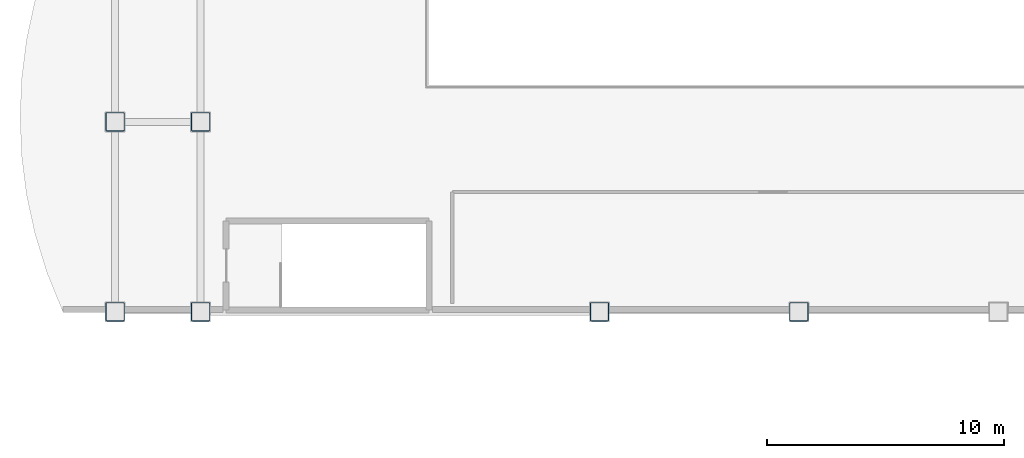
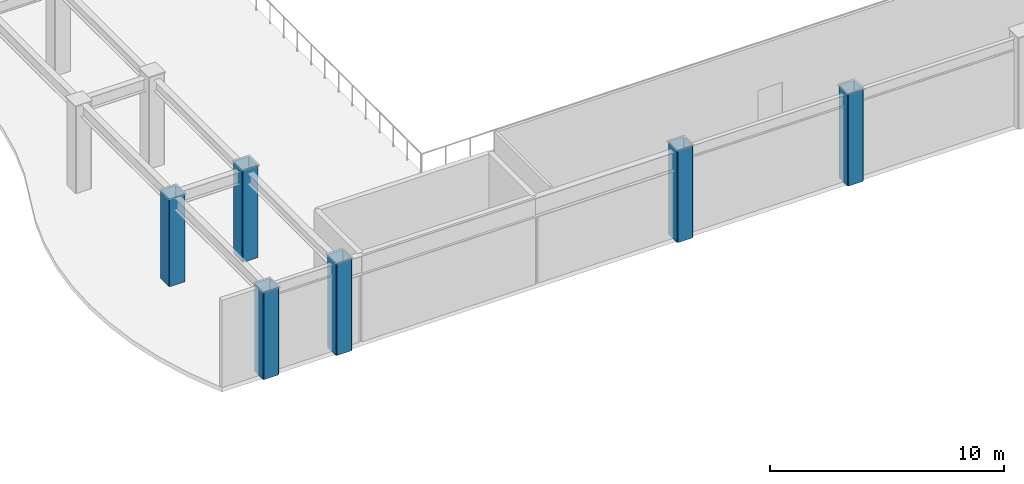
# One storey, part 2 of 93: 6 columns.
"""IFC4 building model written with IfcOpenShell, lengths in metres."""

import ifcopenshell
import ifcopenshell.guid

model = None  # the IFC model being written
_history = None  # IfcOwnerHistory: only IFC2X3 demands one
_inside = {}  # id of a spatial element -> (the spatial element, [elements in it])
_under = {}  # id of a project, library or spatial element -> (it, [spatial elements below it])
_declared = {}  # id of a project -> (the project, [libraries it declares])
_typed = {}  # id of a type object -> (the type object, [elements of that type])
_made_of = {}  # id of a material, layer set ... -> (it, [elements and type objects made of it])


def new_model(schema):
    """Start an empty IFC model of exactly this schema.

    Asked for "IFC4X3", IfcOpenShell would pick the latest addendum, in which some entities
    have other attributes; the version numbers below select the first issue.
    IFC2X3 requires an IfcOwnerHistory on every rooted entity: one is made here for all.
    """
    global model, _history
    if schema == "IFC4X3":
        model = ifcopenshell.file(schema_version=(4, 3, 0, 0))
    else:
        model = ifcopenshell.file(schema=schema)
    _inside.clear()
    _under.clear()
    _declared.clear()
    _typed.clear()
    _made_of.clear()
    _history = None
    if model.schema == "IFC2X3":
        org = make("IfcOrganization", Name="unknown")
        user = make(
            "IfcPersonAndOrganization",
            ThePerson=make("IfcPerson", FamilyName="unknown"),
            TheOrganization=org,
        )
        app = make(
            "IfcApplication",
            ApplicationDeveloper=org,
            Version="unknown",
            ApplicationFullName="unknown",
            ApplicationIdentifier="unknown",
        )
        _history = make(
            "IfcOwnerHistory",
            OwningUser=user,
            OwningApplication=app,
            ChangeAction="ADDED",
            CreationDate=0,
        )
    return model


def make(cls, **values):
    """One entity of the class cls with the attributes given. An attribute that is None is left unset."""
    return model.create_entity(
        cls, **{name: value for name, value in values.items() if value is not None}
    )


def rooted(cls, **values):
    """An entity with a GlobalId (a new one), such as an element, a storey or a relation."""
    return make(cls, GlobalId=ifcopenshell.guid.new(), OwnerHistory=_history, **values)


def si_unit(unit_type, name, prefix=None):
    """IfcSIUnit, for example si_unit("LENGTHUNIT", "METRE", prefix="MILLI")."""
    return make("IfcSIUnit", UnitType=unit_type, Prefix=prefix, Name=name)


def assignment(units):
    """IfcUnitAssignment: the units of a project."""
    return None if units is None else make("IfcUnitAssignment", Units=units)


def point(xyz):
    """IfcCartesianPoint."""
    return None if xyz is None else make("IfcCartesianPoint", Coordinates=xyz)


def direction(xyz):
    """IfcDirection."""
    return None if xyz is None else make("IfcDirection", DirectionRatios=xyz)


def frame(location, z_axis=None, x_axis=None):
    """IfcAxis2Placement3D, a coordinate frame: its origin and axes. An axis left out is left unset."""
    return make(
        "IfcAxis2Placement3D",
        Location=point(location),
        Axis=direction(z_axis),
        RefDirection=direction(x_axis),
    )


def frame_2d(location, x_axis=None):
    """IfcAxis2Placement2D, a coordinate frame in the plane: its origin and x axis."""
    return make(
        "IfcAxis2Placement2D", Location=point(location), RefDirection=direction(x_axis)
    )


def origin():
    """The frame at (0, 0, 0) with its axes left unset."""
    return frame((0.0, 0.0, 0.0))


def origin_2d():
    """The frame at (0, 0) in the plane with its x axis left unset."""
    return frame_2d((0.0, 0.0))


def place(relative_to, where):
    """IfcLocalPlacement: puts the frame where relative to a parent placement (None: the world)."""
    return make(
        "IfcLocalPlacement", PlacementRelTo=relative_to, RelativePlacement=where
    )


def context(
    kind, dimensions, precision=None, world=None, true_north=None, identifier=None
):
    """IfcGeometricRepresentationContext, for example the 3D "Model" context."""
    return make(
        "IfcGeometricRepresentationContext",
        ContextIdentifier=identifier,
        ContextType=kind,
        CoordinateSpaceDimension=dimensions,
        Precision=precision,
        WorldCoordinateSystem=world,
        TrueNorth=true_north,
    )


def subcontext(parent, identifier, kind, view, scale=None):
    """IfcGeometricRepresentationSubContext, for example "Body" below "Model"."""
    return make(
        "IfcGeometricRepresentationSubContext",
        ContextIdentifier=identifier,
        ContextType=kind,
        ParentContext=parent,
        TargetScale=scale,
        TargetView=view,
    )


def project(units=None, contexts=None):
    """IfcProject with its units and contexts."""
    return rooted(
        "IfcProject",
        Name="project",
        RepresentationContexts=contexts,
        UnitsInContext=assignment(units),
    )


def spatial(cls, under=None, at=None, **own):
    """A site, building, storey or space (cls), placed at a placement, below another one or the project."""
    s = rooted(cls, ObjectPlacement=at, **own)
    if under is not None:
        _under.setdefault(under.id(), (under, []))[1].append(s)
    return s


def profile(cls, at=None, kind="AREA", **sizes):
    """A parametric profile (cls). Its sizes go by their IFC names, for example OverallWidth=200.0."""
    return make(cls, ProfileType=kind, Position=at, **sizes)


def hollow_rectangle(**sizes):
    """IfcRectangleHollowProfileDef."""
    return profile("IfcRectangleHollowProfileDef", **sizes)


def extrude(swept, where, along, depth):
    """IfcExtrudedAreaSolid: the profile swept, set in the frame where, extruded along a direction by depth."""
    return make(
        "IfcExtrudedAreaSolid",
        SweptArea=swept,
        Position=where,
        ExtrudedDirection=direction(along),
        Depth=depth,
    )


def shape(context_of_items, identifier, shape_type, items):
    """IfcShapeRepresentation: the items that make up one representation, for example the "Body"."""
    return make(
        "IfcShapeRepresentation",
        ContextOfItems=context_of_items,
        RepresentationIdentifier=identifier,
        RepresentationType=shape_type,
        Items=items,
    )


def material(Name=None, Category=None):
    """IfcMaterial."""
    return make("IfcMaterial", Name=Name, Category=Category)


def material_profile(
    of_material, cross_section, Name=None, Category=None, Priority=None
):
    """IfcMaterialProfile: a cross section and its material."""
    return make(
        "IfcMaterialProfile",
        Name=Name,
        Material=of_material,
        Profile=cross_section,
        Priority=Priority,
        Category=Category,
    )


def profile_set(profiles, Name=None, composite=None):
    """IfcMaterialProfileSet."""
    return make(
        "IfcMaterialProfileSet",
        Name=Name,
        MaterialProfiles=profiles,
        CompositeProfile=composite,
    )


def made_of(thing, what):
    """Note that an element or type object is made of a material, layer set ...; save() writes the relation."""
    if what is not None:
        _made_of.setdefault(what.id(), (what, []))[1].append(thing)
    return thing


def type_object(cls, material=None, **own):
    """A type object (cls), such as IfcWallType, which elements share."""
    return made_of(rooted(cls, **own), material)


def element(
    cls,
    number,
    at=None,
    inside=None,
    cuts=None,
    type_object=None,
    material=None,
    context=None,
    identifier="Body",
    shape_type=None,
    held_by="IfcProductDefinitionShape",
    body=None,
    shapes=None,
    **own,
):
    """One element of the class cls, such as IfcWall. Its Tag is "e" and its number.

    at: its placement. inside: the storey or other place that contains it. cuts: it is an
    opening in that element (IfcRelVoidsElement). A single representation is given by context,
    identifier, shape_type and body (its items); several are given by shapes. held_by: the class
    of the entity that holds the representations. save() writes the other relations.
    """
    e = rooted(cls, Tag="e%d" % number, ObjectPlacement=at, **own)
    if body is not None:
        shapes = [shape(context, identifier, shape_type, body)]
    if shapes is not None:
        e.Representation = make(held_by, Representations=shapes)
    if inside is not None:
        _inside.setdefault(inside.id(), (inside, []))[1].append(e)
    if cuts is not None:
        rooted(
            "IfcRelVoidsElement", RelatingBuildingElement=cuts, RelatedOpeningElement=e
        )
    if type_object is not None:
        _typed.setdefault(type_object.id(), (type_object, []))[1].append(e)
    return made_of(e, material)


def aggregate(whole, parts):
    """IfcRelAggregates: a whole, such as a stair, and the parts it consists of."""
    return rooted("IfcRelAggregates", RelatingObject=whole, RelatedObjects=parts)


def save(model, path):
    """Write the relations noted so far, then the file.

    IfcRelAggregates (storeys below a building ...), IfcRelContainedInSpatialStructure (elements
    in a storey), IfcRelDefinesByType, IfcRelAssociatesMaterial and IfcRelDeclares: one each for
    every whole, place, type object, material and project.
    """
    for whole, parts in _under.values():
        aggregate(whole, parts)
    for where, things in _inside.values():
        rooted(
            "IfcRelContainedInSpatialStructure",
            RelatedElements=things,
            RelatingStructure=where,
        )
    for kind, things in _typed.values():
        rooted("IfcRelDefinesByType", RelatedObjects=things, RelatingType=kind)
    for what, things in _made_of.values():
        rooted("IfcRelAssociatesMaterial", RelatedObjects=things, RelatingMaterial=what)
    for by, libraries in _declared.values():
        rooted("IfcRelDeclares", RelatingContext=by, RelatedDefinitions=libraries)
    model.write(path)


model = new_model("IFC4")

# Units and contexts
model_context = context("Model", 3, precision=1e-05, world=origin(), true_north=direction((0.0, 1.0)))
body_context = subcontext(model_context, "Body", "Model", "MODEL_VIEW")
ifc_project = project(units=[si_unit("LENGTHUNIT", "METRE"), si_unit("AREAUNIT", "SQUARE_METRE"), si_unit("VOLUMEUNIT", "CUBIC_METRE"), si_unit("PLANEANGLEUNIT", "RADIAN"), si_unit("MASSUNIT", "GRAM", prefix="KILO")], contexts=[model_context])

# Site, building, storey
site_placement = place(None, origin())
site = spatial("IfcSite", under=ifc_project, at=site_placement, CompositionType="ELEMENT")
building_placement = place(site_placement, origin())
building = spatial("IfcBuilding", under=site, at=building_placement, Name="Kazehara Bluff Congress Hotel", CompositionType="ELEMENT")
storey_placement = place(building_placement, frame((0.0, 0.0, 15.0)))
storey = spatial("IfcBuildingStorey", under=building, at=storey_placement, Name="L03", CompositionType="ELEMENT", Elevation=15.0)

# Columns
ifc_material = material(Name="Steel BCR295", Category="steel")
ifc_material_profile = material_profile(ifc_material, hollow_rectangle(XDim=0.800048828125, YDim=0.800048828125, WallThickness=0.031982421875, InnerFilletRadius=0.031982421875, OuterFilletRadius=0.06396484375, at=origin_2d()))
ifc_profile_set = profile_set([ifc_material_profile], Name="Steel BCR295")
column_type = type_object("IfcColumnType", Name="TP-C-02", PredefinedType="COLUMN", material=ifc_profile_set)
for number, where, z_axis, x_axis, name in (
    (1, (4.800048828125, 48.449951171875, 0.0), (0.0, 0.0, 1.0), (1.0, 0.0, 0.0), "L03 column C-02 (4.80,48.45)"),
    (2, (4.800048828125, 56.449951171875, 0.0), (0.0, 0.0, 1.0), (1.0, 0.0, 0.0), "L03 column C-02 (4.80,56.45)"),
):
    element("IfcColumn", number, at=place(storey_placement, frame(where, z_axis=z_axis, x_axis=x_axis)), inside=storey, type_object=column_type, Name=name, PredefinedType="COLUMN", context=body_context, shape_type="SweptSolid", body=[
        extrude(hollow_rectangle(XDim=0.800048828125, YDim=0.800048828125, WallThickness=0.031982421875, InnerFilletRadius=0.031982421875, OuterFilletRadius=0.06396484375, at=origin_2d()), origin(), (0.0, 0.0, 1.0), 4.56005859375),
    ])
for number, where, z_axis, x_axis, name in (
    (3, (8.39990234375, 48.449951171875, 0.0), (0.0, 0.0, 1.0), (1.0, 0.0, 0.0), "L03 column C-02 (8.40,48.45)"),
    (4, (8.39990234375, 56.449951171875, 0.0), (0.0, 0.0, 1.0), (1.0, 0.0, 0.0), "L03 column C-02 (8.40,56.45)"),
    (5, (25.199951171875, 48.449951171875, 0.0), (0.0, 0.0, 1.0), (1.0, 0.0, 0.0), "L03 column C-02 (25.20,48.45)"),
    (6, (33.60009765625, 48.449951171875, 0.0), (0.0, 0.0, 1.0), (1.0, 0.0, 0.0), "L03 column C-02 (33.60,48.45)"),
):
    element("IfcColumn", number, at=place(storey_placement, frame(where, z_axis=z_axis, x_axis=x_axis)), inside=storey, type_object=column_type, Name=name, PredefinedType="COLUMN", context=body_context, shape_type="SweptSolid", body=[
        extrude(hollow_rectangle(XDim=0.800048828125, YDim=0.800048828125, WallThickness=0.031982421875, InnerFilletRadius=0.031982421875, OuterFilletRadius=0.06396484375, at=origin_2d()), origin(), (0.0, 0.0, 1.0), 4.800048828125),
    ])

save(model, "model.ifc")
